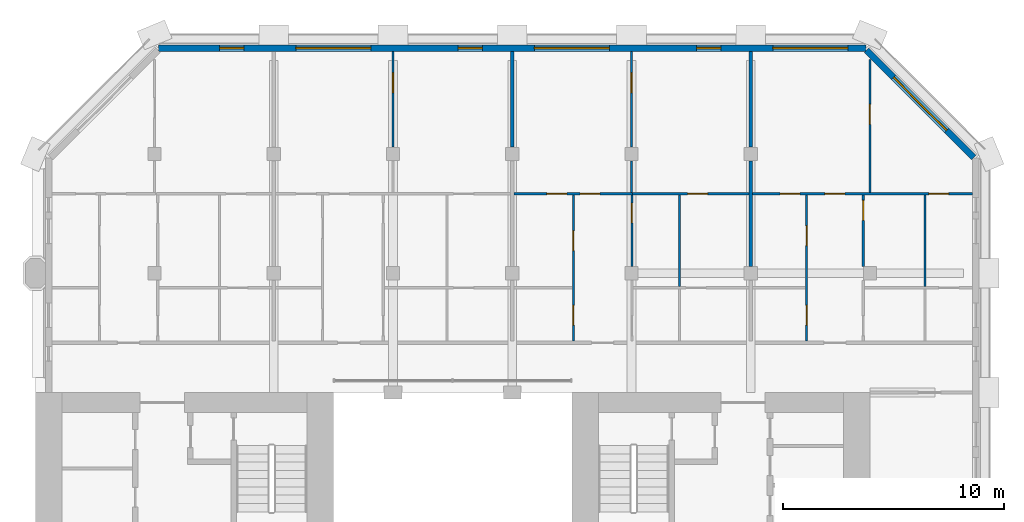
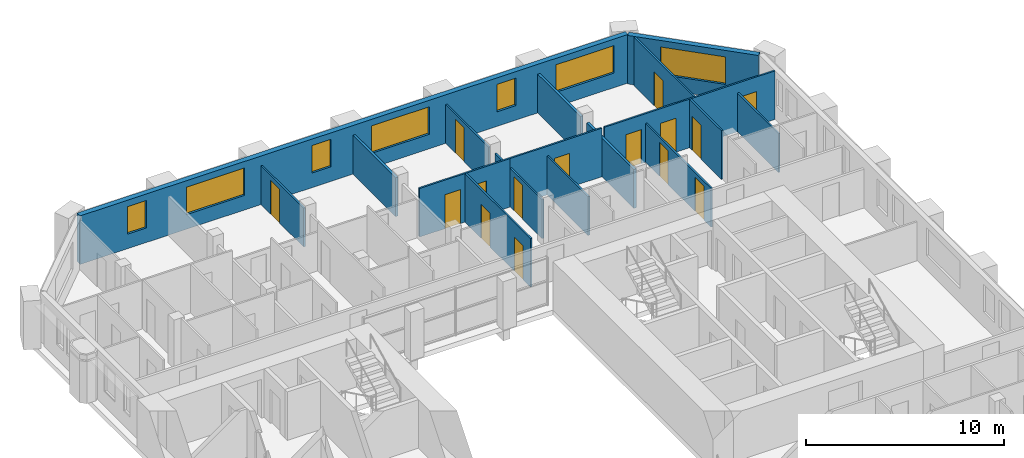
# One storey, part 9 of 13: 18 walls, 15 doors, 7 windows, 22 openings.
"""IFC4 building model written with IfcOpenShell, lengths in metres."""

from ifc_helpers import new_model, si_unit, direction, frame, frame_2d, origin, place, context, subcontext, project, spatial, rectangle, extrude, material, layer, layer_set, type_object, element, fill, save


model = new_model("IFC4")

# Units and contexts
model_context = context("Model", 3, precision=1e-05, world=origin(), true_north=direction((0.0, 1.0)))
body_context = subcontext(model_context, "Body", "Model", "MODEL_VIEW")
ifc_project = project(units=[si_unit("LENGTHUNIT", "METRE"), si_unit("AREAUNIT", "SQUARE_METRE"), si_unit("VOLUMEUNIT", "CUBIC_METRE"), si_unit("PLANEANGLEUNIT", "RADIAN"), si_unit("MASSUNIT", "GRAM", prefix="KILO")], contexts=[model_context])

# Site, building, storey
site_placement = place(None, origin())
site = spatial("IfcSite", under=ifc_project, at=site_placement, CompositionType="ELEMENT")
building_placement = place(site_placement, origin())
building = spatial("IfcBuilding", under=site, at=building_placement, Name="Tabaq Tower and Sports Hall", CompositionType="ELEMENT")
storey_placement = place(building_placement, frame((0.0, 0.0, 295.0)))
storey = spatial("IfcBuildingStorey", under=building, at=storey_placement, Name="L73", CompositionType="ELEMENT", Elevation=295.0)

# Wall, opening, door
ifc_material_1 = material(Name="Gypsum board on steel studs", Category="steel")
ifc_layer_1 = layer(ifc_material_1, 0.10009765625)
ifc_layer_set_1 = layer_set([ifc_layer_1], Name="Partition 100 Gypsum board")
wall_type_1 = type_object("IfcWallType", Name="Partition 100 Gypsum board", PredefinedType="PARTITIONING", material=ifc_layer_set_1)
wall_1_placement = place(storey_placement, frame((21.60009765625, 43.52001953125, 0.0), z_axis=(0.0, 0.0, 1.0), x_axis=(0.0, 1.0, 0.0)))
wall_1 = element("IfcWall", 1, at=wall_1_placement, inside=storey, type_object=wall_type_1, Name="Partition wall L73", PredefinedType="PARTITIONING", context=body_context, shape_type="SweptSolid", body=[
    extrude(rectangle(XDim=4.3291015625, YDim=0.10009765625, at=frame_2d((2.16455078125, 0.0))), origin(), (0.0, 0.0, 1.0), 2.39990234375),
])
opening_1_placement = place(wall_1_placement, frame((2.455078125, 0.0, 0.0)))
opening_1 = element("IfcOpeningElement", 2, at=opening_1_placement, cuts=wall_1, Name="Opening L73-035", PredefinedType="OPENING", context=body_context, shape_type="SweptSolid", body=[
    extrude(rectangle(XDim=0.89990234375, YDim=2.10009765625, at=frame_2d((0.449951171875, 1.050048828125))), frame((0.0, 0.050048828125, 0.0), z_axis=(0.0, -1.0, 0.0), x_axis=(1.0, 0.0, 0.0)), (0.0, 0.0, 1.0), 0.10009765625),
])
ifc_material_2 = material(Name="Timber leaf in steel frame", Category="steel")
door_type_1 = type_object("IfcDoorType", Name="Internal door 900 right hand", OperationType="SINGLE_SWING_RIGHT", PredefinedType="DOOR", material=ifc_material_2)
door_1_placement = place(opening_1_placement, origin())
door_1 = element("IfcDoor", 3, at=door_1_placement, inside=storey, type_object=door_type_1, Name="Internal door L73-035", OperationType="SINGLE_SWING_RIGHT", OverallHeight=2.10009765625, OverallWidth=0.89990234375, PredefinedType="DOOR", context=body_context, shape_type="SweptSolid", body=[
    extrude(rectangle(XDim=0.89990234375, YDim=2.10009765625, at=frame_2d((0.449951171875, 1.050048828125))), frame((0.0, 0.02490234375, 0.0), z_axis=(0.0, -1.0, 0.0), x_axis=(1.0, 0.0, 0.0)), (0.0, 0.0, 1.0), 0.050048828125),
])
fill(opening_1, door_1)

# Wall, openings, doors
wall_2_placement = place(storey_placement, frame((27.074951171875, 41.39990234375, 0.0), z_axis=(0.0, 0.0, 1.0), x_axis=(1.0, 0.0, 0.0)))
wall_2 = element("IfcWall", 4, at=wall_2_placement, inside=storey, type_object=wall_type_1, Name="Partition wall L73", PredefinedType="PARTITIONING", context=body_context, shape_type="SweptSolid", body=[
    extrude(rectangle(XDim=5.375, YDim=0.10009765625, at=frame_2d((2.6875, 0.0))), origin(), (0.0, 0.0, 1.0), 3.0),
])
opening_2_placement = place(wall_2_placement, frame((1.4951171875, 0.0, 0.0)))
opening_2 = element("IfcOpeningElement", 5, at=opening_2_placement, cuts=wall_2, Name="Opening L73-040", PredefinedType="OPENING", context=body_context, shape_type="SweptSolid", body=[
    extrude(rectangle(XDim=0.89990234375, YDim=2.10009765625, at=frame_2d((0.449951171875, 1.050048828125))), frame((0.0, 0.050048828125, 0.0), z_axis=(0.0, -1.0, 0.0), x_axis=(1.0, 0.0, 0.0)), (0.0, 0.0, 1.0), 0.10009765625),
])
opening_3_placement = place(wall_2_placement, frame((2.9951171875, 0.0, 0.0)))
opening_3 = element("IfcOpeningElement", 6, at=opening_3_placement, cuts=wall_2, Name="Opening L73-054", PredefinedType="OPENING", context=body_context, shape_type="SweptSolid", body=[
    extrude(rectangle(XDim=0.89990234375, YDim=2.10009765625, at=frame_2d((0.449951171875, 1.050048828125))), frame((0.0, 0.050048828125, 0.0), z_axis=(0.0, -1.0, 0.0), x_axis=(1.0, 0.0, 0.0)), (0.0, 0.0, 1.0), 0.10009765625),
])
ifc_material_3 = material(Name="Timber leaf in steel frame", Category="steel")
door_type_2 = type_object("IfcDoorType", Name="Internal door 900 left hand", OperationType="SINGLE_SWING_LEFT", PredefinedType="DOOR", material=ifc_material_3)
door_2_placement = place(opening_3_placement, origin())
door_2 = element("IfcDoor", 7, at=door_2_placement, inside=storey, type_object=door_type_2, Name="Internal door L73-054", OperationType="SINGLE_SWING_LEFT", OverallHeight=2.10009765625, OverallWidth=0.89990234375, PredefinedType="DOOR", context=body_context, shape_type="SweptSolid", body=[
    extrude(rectangle(XDim=0.89990234375, YDim=2.10009765625, at=frame_2d((0.449951171875, 1.050048828125))), frame((0.0, 0.02490234375, 0.0), z_axis=(0.0, -1.0, 0.0), x_axis=(1.0, 0.0, 0.0)), (0.0, 0.0, 1.0), 0.050048828125),
])
fill(opening_3, door_2)
door_3_placement = place(opening_2_placement, origin())
door_3 = element("IfcDoor", 8, at=door_3_placement, inside=storey, type_object=door_type_1, Name="Internal door L73-040", OperationType="SINGLE_SWING_RIGHT", OverallHeight=2.10009765625, OverallWidth=0.89990234375, PredefinedType="DOOR", context=body_context, shape_type="SweptSolid", body=[
    extrude(rectangle(XDim=0.89990234375, YDim=2.10009765625, at=frame_2d((0.449951171875, 1.050048828125))), frame((0.0, 0.02490234375, 0.0), z_axis=(0.0, -1.0, 0.0), x_axis=(1.0, 0.0, 0.0)), (0.0, 0.0, 1.0), 0.050048828125),
])
fill(opening_2, door_3)

# Wall
wall_3_placement = place(storey_placement, frame((32.39990234375, 41.449951171875, 0.0), z_axis=(0.0, 0.0, 1.0), x_axis=(0.0, 1.0, 0.0)))
element("IfcWall", 9, at=wall_3_placement, inside=storey, type_object=wall_type_1, Name="Partition wall L73", PredefinedType="PARTITIONING", context=body_context, shape_type="SweptSolid", body=[
    extrude(rectangle(XDim=1.429931640625, YDim=0.10009765625, at=frame_2d((0.71484375, 0.0))), origin(), (0.0, 0.0, 1.0), 2.39990234375),
])

# Wall, opening, door
wall_4_placement = place(storey_placement, frame((32.39990234375, 43.52001953125, 0.0), z_axis=(0.0, 0.0, 1.0), x_axis=(0.0, 1.0, 0.0)))
wall_4 = element("IfcWall", 10, at=wall_4_placement, inside=storey, type_object=wall_type_1, Name="Partition wall L73", PredefinedType="PARTITIONING", context=body_context, shape_type="SweptSolid", body=[
    extrude(rectangle(XDim=4.3291015625, YDim=0.10009765625, at=frame_2d((2.16455078125, 0.0))), origin(), (0.0, 0.0, 1.0), 2.39990234375),
])
opening_4_placement = place(wall_4_placement, frame((2.455078125, 0.0, 0.0)))
opening_4 = element("IfcOpeningElement", 11, at=opening_4_placement, cuts=wall_4, Name="Opening L73-039", PredefinedType="OPENING", context=body_context, shape_type="SweptSolid", body=[
    extrude(rectangle(XDim=0.89990234375, YDim=2.10009765625, at=frame_2d((0.449951171875, 1.050048828125))), frame((0.0, 0.050048828125, 0.0), z_axis=(0.0, -1.0, 0.0), x_axis=(1.0, 0.0, 0.0)), (0.0, 0.0, 1.0), 0.10009765625),
])
door_4_placement = place(opening_4_placement, origin())
door_4 = element("IfcDoor", 12, at=door_4_placement, inside=storey, type_object=door_type_2, Name="Internal door L73-039", OperationType="SINGLE_SWING_LEFT", OverallHeight=2.10009765625, OverallWidth=0.89990234375, PredefinedType="DOOR", context=body_context, shape_type="SweptSolid", body=[
    extrude(rectangle(XDim=0.89990234375, YDim=2.10009765625, at=frame_2d((0.449951171875, 1.050048828125))), frame((0.0, 0.02490234375, 0.0), z_axis=(0.0, -1.0, 0.0), x_axis=(1.0, 0.0, 0.0)), (0.0, 0.0, 1.0), 0.050048828125),
])
fill(opening_4, door_4)

wall_5_placement = place(storey_placement, frame((32.3701171875, 41.39990234375, 0.0), z_axis=(0.0, 0.0, 1.0), x_axis=(1.0, 0.0, 0.0)))
wall_5 = element("IfcWall", 13, at=wall_5_placement, inside=storey, type_object=wall_type_1, Name="Partition wall L73", PredefinedType="PARTITIONING", context=body_context, shape_type="SweptSolid", body=[
    extrude(rectangle(XDim=5.35498046875, YDim=0.10009765625, at=frame_2d((2.677490234375, 0.0))), origin(), (0.0, 0.0, 1.0), 3.0),
])
opening_5_placement = place(wall_5_placement, frame((2.577880859375, 0.0, 0.0)))
opening_5 = element("IfcOpeningElement", 14, at=opening_5_placement, cuts=wall_5, Name="Opening L73-041", PredefinedType="OPENING", context=body_context, shape_type="SweptSolid", body=[
    extrude(rectangle(XDim=0.89990234375, YDim=2.10009765625, at=frame_2d((0.449951171875, 1.050048828125))), frame((0.0, 0.050048828125, 0.0), z_axis=(0.0, -1.0, 0.0), x_axis=(1.0, 0.0, 0.0)), (0.0, 0.0, 1.0), 0.10009765625),
])
door_5_placement = place(opening_5_placement, origin())
door_5 = element("IfcDoor", 15, at=door_5_placement, inside=storey, type_object=door_type_2, Name="Internal door L73-041", OperationType="SINGLE_SWING_LEFT", OverallHeight=2.10009765625, OverallWidth=0.89990234375, PredefinedType="DOOR", context=body_context, shape_type="SweptSolid", body=[
    extrude(rectangle(XDim=0.89990234375, YDim=2.10009765625, at=frame_2d((0.449951171875, 1.050048828125))), frame((0.0, 0.02490234375, 0.0), z_axis=(0.0, -1.0, 0.0), x_axis=(1.0, 0.0, 0.0)), (0.0, 0.0, 1.0), 0.050048828125),
])
fill(opening_5, door_5)

# Wall, openings, doors
wall_6_placement = place(storey_placement, frame((29.77001953125, 34.72509765625, 0.0), z_axis=(0.0, 0.0, 1.0), x_axis=(0.0, 1.0, 0.0)))
wall_6 = element("IfcWall", 16, at=wall_6_placement, inside=storey, type_object=wall_type_1, Name="Partition wall L73", PredefinedType="PARTITIONING", context=body_context, shape_type="SweptSolid", body=[
    extrude(rectangle(XDim=6.625, YDim=0.10009765625, at=frame_2d((3.3125, 0.0))), origin(), (0.0, 0.0, 1.0), 3.0),
])
opening_6_placement = place(wall_6_placement, frame((0.72509765625, 0.0, 0.0)))
opening_6 = element("IfcOpeningElement", 17, at=opening_6_placement, cuts=wall_6, Name="Opening L73-009", PredefinedType="OPENING", context=body_context, shape_type="SweptSolid", body=[
    extrude(rectangle(XDim=0.89990234375, YDim=2.10009765625, at=frame_2d((0.449951171875, 1.050048828125))), frame((0.0, 0.050048828125, 0.0), z_axis=(0.0, -1.0, 0.0), x_axis=(1.0, 0.0, 0.0)), (0.0, 0.0, 1.0), 0.10009765625),
])
opening_7_placement = place(wall_6_placement, frame((4.10009765625, 0.0, 0.0)))
opening_7 = element("IfcOpeningElement", 18, at=opening_7_placement, cuts=wall_6, Name="Opening L73-042", PredefinedType="OPENING", context=body_context, shape_type="SweptSolid", body=[
    extrude(rectangle(XDim=0.89990234375, YDim=2.10009765625, at=frame_2d((0.449951171875, 1.050048828125))), frame((0.0, 0.050048828125, 0.0), z_axis=(0.0, -1.0, 0.0), x_axis=(1.0, 0.0, 0.0)), (0.0, 0.0, 1.0), 0.10009765625),
])
door_6_placement = place(opening_6_placement, origin())
door_6 = element("IfcDoor", 19, at=door_6_placement, inside=storey, type_object=door_type_2, Name="Internal door L73-009", OperationType="SINGLE_SWING_LEFT", OverallHeight=2.10009765625, OverallWidth=0.89990234375, PredefinedType="DOOR", context=body_context, shape_type="SweptSolid", body=[
    extrude(rectangle(XDim=0.89990234375, YDim=2.10009765625, at=frame_2d((0.449951171875, 1.050048828125))), frame((0.0, 0.02490234375, 0.0), z_axis=(0.0, -1.0, 0.0), x_axis=(1.0, 0.0, 0.0)), (0.0, 0.0, 1.0), 0.050048828125),
])
fill(opening_6, door_6)
door_7_placement = place(opening_7_placement, origin())
door_7 = element("IfcDoor", 20, at=door_7_placement, inside=storey, type_object=door_type_1, Name="Internal door L73-042", OperationType="SINGLE_SWING_RIGHT", OverallHeight=2.10009765625, OverallWidth=0.89990234375, PredefinedType="DOOR", context=body_context, shape_type="SweptSolid", body=[
    extrude(rectangle(XDim=0.89990234375, YDim=2.10009765625, at=frame_2d((0.449951171875, 1.050048828125))), frame((0.0, 0.02490234375, 0.0), z_axis=(0.0, -1.0, 0.0), x_axis=(1.0, 0.0, 0.0)), (0.0, 0.0, 1.0), 0.050048828125),
])
fill(opening_7, door_7)

# Wall, opening, door
wall_7_placement = place(storey_placement, frame((32.419921875, 38.1201171875, 0.0), z_axis=(0.0, 0.0, 1.0), x_axis=(0.0, 1.0, 0.0)))
wall_7 = element("IfcWall", 21, at=wall_7_placement, inside=storey, type_object=wall_type_1, Name="Partition wall L73", PredefinedType="PARTITIONING", context=body_context, shape_type="SweptSolid", body=[
    extrude(rectangle(XDim=3.22998046875, YDim=0.10009765625, at=frame_2d((1.614990234375, 0.0))), origin(), (0.0, 0.0, 1.0), 2.39990234375),
])
opening_8_placement = place(wall_7_placement, frame((1.965087890625, 0.0, 0.0)))
opening_8 = element("IfcOpeningElement", 22, at=opening_8_placement, cuts=wall_7, Name="Opening L73-010", PredefinedType="OPENING", context=body_context, shape_type="SweptSolid", body=[
    extrude(rectangle(XDim=0.89990234375, YDim=2.10009765625, at=frame_2d((0.449951171875, 1.050048828125))), frame((0.0, 0.050048828125, 0.0), z_axis=(0.0, -1.0, 0.0), x_axis=(1.0, 0.0, 0.0)), (0.0, 0.0, 1.0), 0.10009765625),
])
door_8_placement = place(opening_8_placement, origin())
door_8 = element("IfcDoor", 23, at=door_8_placement, inside=storey, type_object=door_type_1, Name="Internal door L73-010", OperationType="SINGLE_SWING_RIGHT", OverallHeight=2.10009765625, OverallWidth=0.89990234375, PredefinedType="DOOR", context=body_context, shape_type="SweptSolid", body=[
    extrude(rectangle(XDim=0.89990234375, YDim=2.10009765625, at=frame_2d((0.449951171875, 1.050048828125))), frame((0.0, 0.02490234375, 0.0), z_axis=(0.0, -1.0, 0.0), x_axis=(1.0, 0.0, 0.0)), (0.0, 0.0, 1.0), 0.050048828125),
])
fill(opening_8, door_8)

# Wall
wall_8_placement = place(storey_placement, frame((34.575927734375, 37.199951171875, 0.0), z_axis=(0.0, 0.0, 1.0), x_axis=(0.0, 1.0, 0.0)))
element("IfcWall", 24, at=wall_8_placement, inside=storey, type_object=wall_type_1, Name="Partition wall L73", PredefinedType="PARTITIONING", context=body_context, shape_type="SweptSolid", body=[
    extrude(rectangle(XDim=4.150146484375, YDim=0.10009765625, at=frame_2d((2.0751953125, 0.0))), origin(), (0.0, 0.0, 1.0), 2.39990234375),
])

# Wall, opening, door
wall_9_placement = place(storey_placement, frame((43.199951171875, 41.449951171875, 0.0), z_axis=(0.0, 0.0, 1.0), x_axis=(0.0, 1.0, 0.0)))
wall_9 = element("IfcWall", 25, at=wall_9_placement, inside=storey, type_object=wall_type_1, Name="Partition wall L73", PredefinedType="PARTITIONING", context=body_context, shape_type="SweptSolid", body=[
    extrude(rectangle(XDim=6.037841796875, YDim=0.10009765625, at=frame_2d((3.01904296875, 0.0))), origin(), (0.0, 0.0, 1.0), 3.0),
])
opening_9_placement = place(wall_9_placement, frame((3.10009765625, 0.0, 0.0)))
opening_9 = element("IfcOpeningElement", 26, at=opening_9_placement, cuts=wall_9, Name="Opening L73-043", PredefinedType="OPENING", context=body_context, shape_type="SweptSolid", body=[
    extrude(rectangle(XDim=0.89990234375, YDim=2.10009765625, at=frame_2d((0.449951171875, 1.050048828125))), frame((0.0, 0.050048828125, 0.0), z_axis=(0.0, -1.0, 0.0), x_axis=(1.0, 0.0, 0.0)), (0.0, 0.0, 1.0), 0.10009765625),
])
door_9_placement = place(opening_9_placement, origin())
door_9 = element("IfcDoor", 27, at=door_9_placement, inside=storey, type_object=door_type_2, Name="Internal door L73-043", OperationType="SINGLE_SWING_LEFT", OverallHeight=2.10009765625, OverallWidth=0.89990234375, PredefinedType="DOOR", context=body_context, shape_type="SweptSolid", body=[
    extrude(rectangle(XDim=0.89990234375, YDim=2.10009765625, at=frame_2d((0.449951171875, 1.050048828125))), frame((0.0, 0.02490234375, 0.0), z_axis=(0.0, -1.0, 0.0), x_axis=(1.0, 0.0, 0.0)), (0.0, 0.0, 1.0), 0.050048828125),
])
fill(opening_9, door_9)

# Wall, openings, doors
wall_10_placement = place(storey_placement, frame((37.875, 41.39990234375, 0.0), z_axis=(0.0, 0.0, 1.0), x_axis=(1.0, 0.0, 0.0)))
wall_10 = element("IfcWall", 28, at=wall_10_placement, inside=storey, type_object=wall_type_1, Name="Partition wall L73", PredefinedType="PARTITIONING", context=body_context, shape_type="SweptSolid", body=[
    extrude(rectangle(XDim=9.97412109375, YDim=0.10009765625, at=frame_2d((4.987060546875, 0.0))), origin(), (0.0, 0.0, 1.0), 3.0),
])
opening_10_placement = place(wall_10_placement, frame((1.256103515625, 0.0, 0.0)))
opening_10 = element("IfcOpeningElement", 29, at=opening_10_placement, cuts=wall_10, Name="Opening L73-044", PredefinedType="OPENING", context=body_context, shape_type="SweptSolid", body=[
    extrude(rectangle(XDim=0.89990234375, YDim=2.10009765625, at=frame_2d((0.449951171875, 1.050048828125))), frame((0.0, 0.050048828125, 0.0), z_axis=(0.0, -1.0, 0.0), x_axis=(1.0, 0.0, 0.0)), (0.0, 0.0, 1.0), 0.10009765625),
])
opening_11_placement = place(wall_10_placement, frame((7.9951171875, 0.0, 0.0)))
opening_11 = element("IfcOpeningElement", 30, at=opening_11_placement, cuts=wall_10, Name="Opening L73-045", PredefinedType="OPENING", context=body_context, shape_type="SweptSolid", body=[
    extrude(rectangle(XDim=0.89990234375, YDim=2.10009765625, at=frame_2d((0.449951171875, 1.050048828125))), frame((0.0, 0.050048828125, 0.0), z_axis=(0.0, -1.0, 0.0), x_axis=(1.0, 0.0, 0.0)), (0.0, 0.0, 1.0), 0.10009765625),
])
opening_12_placement = place(wall_10_placement, frame((3.2900390625, 0.0, 0.0)))
opening_12 = element("IfcOpeningElement", 31, at=opening_12_placement, cuts=wall_10, Name="Opening L73-055", PredefinedType="OPENING", context=body_context, shape_type="SweptSolid", body=[
    extrude(rectangle(XDim=0.89990234375, YDim=2.10009765625, at=frame_2d((0.449951171875, 1.050048828125))), frame((0.0, 0.050048828125, 0.0), z_axis=(0.0, -1.0, 0.0), x_axis=(1.0, 0.0, 0.0)), (0.0, 0.0, 1.0), 0.10009765625),
])
door_10_placement = place(opening_10_placement, origin())
door_10 = element("IfcDoor", 32, at=door_10_placement, inside=storey, type_object=door_type_2, Name="Internal door L73-044", OperationType="SINGLE_SWING_LEFT", OverallHeight=2.10009765625, OverallWidth=0.89990234375, PredefinedType="DOOR", context=body_context, shape_type="SweptSolid", body=[
    extrude(rectangle(XDim=0.89990234375, YDim=2.10009765625, at=frame_2d((0.449951171875, 1.050048828125))), frame((0.0, 0.02490234375, 0.0), z_axis=(0.0, -1.0, 0.0), x_axis=(1.0, 0.0, 0.0)), (0.0, 0.0, 1.0), 0.050048828125),
])
fill(opening_10, door_10)
door_11_placement = place(opening_11_placement, origin())
door_11 = element("IfcDoor", 33, at=door_11_placement, inside=storey, type_object=door_type_1, Name="Internal door L73-045", OperationType="SINGLE_SWING_RIGHT", OverallHeight=2.10009765625, OverallWidth=0.89990234375, PredefinedType="DOOR", context=body_context, shape_type="SweptSolid", body=[
    extrude(rectangle(XDim=0.89990234375, YDim=2.10009765625, at=frame_2d((0.449951171875, 1.050048828125))), frame((0.0, 0.02490234375, 0.0), z_axis=(0.0, -1.0, 0.0), x_axis=(1.0, 0.0, 0.0)), (0.0, 0.0, 1.0), 0.050048828125),
])
fill(opening_11, door_11)
door_12_placement = place(opening_12_placement, origin())
door_12 = element("IfcDoor", 34, at=door_12_placement, inside=storey, type_object=door_type_1, Name="Internal door L73-055", OperationType="SINGLE_SWING_RIGHT", OverallHeight=2.10009765625, OverallWidth=0.89990234375, PredefinedType="DOOR", context=body_context, shape_type="SweptSolid", body=[
    extrude(rectangle(XDim=0.89990234375, YDim=2.10009765625, at=frame_2d((0.449951171875, 1.050048828125))), frame((0.0, 0.02490234375, 0.0), z_axis=(0.0, -1.0, 0.0), x_axis=(1.0, 0.0, 0.0)), (0.0, 0.0, 1.0), 0.050048828125),
])
fill(opening_12, door_12)

wall_11_placement = place(storey_placement, frame((40.3310546875, 34.72509765625, 0.0), z_axis=(0.0, 0.0, 1.0), x_axis=(0.0, 1.0, 0.0)))
wall_11 = element("IfcWall", 35, at=wall_11_placement, inside=storey, type_object=wall_type_1, Name="Partition wall L73", PredefinedType="PARTITIONING", context=body_context, shape_type="SweptSolid", body=[
    extrude(rectangle(XDim=6.625, YDim=0.10009765625, at=frame_2d((3.3125, 0.0))), origin(), (0.0, 0.0, 1.0), 2.39990234375),
])
opening_13_placement = place(wall_11_placement, frame((0.72509765625, 0.0, 0.0)))
opening_13 = element("IfcOpeningElement", 36, at=opening_13_placement, cuts=wall_11, Name="Opening L73-013", PredefinedType="OPENING", context=body_context, shape_type="SweptSolid", body=[
    extrude(rectangle(XDim=0.89990234375, YDim=2.10009765625, at=frame_2d((0.449951171875, 1.050048828125))), frame((0.0, 0.050048828125, 0.0), z_axis=(0.0, -1.0, 0.0), x_axis=(1.0, 0.0, 0.0)), (0.0, 0.0, 1.0), 0.10009765625),
])
opening_14_placement = place(wall_11_placement, frame((4.3291015625, 0.0, 0.0)))
opening_14 = element("IfcOpeningElement", 37, at=opening_14_placement, cuts=wall_11, Name="Opening L73-046", PredefinedType="OPENING", context=body_context, shape_type="SweptSolid", body=[
    extrude(rectangle(XDim=0.89990234375, YDim=2.10009765625, at=frame_2d((0.449951171875, 1.050048828125))), frame((0.0, 0.050048828125, 0.0), z_axis=(0.0, -1.0, 0.0), x_axis=(1.0, 0.0, 0.0)), (0.0, 0.0, 1.0), 0.10009765625),
])
door_13_placement = place(opening_14_placement, origin())
door_13 = element("IfcDoor", 38, at=door_13_placement, inside=storey, type_object=door_type_2, Name="Internal door L73-046", OperationType="SINGLE_SWING_LEFT", OverallHeight=2.10009765625, OverallWidth=0.89990234375, PredefinedType="DOOR", context=body_context, shape_type="SweptSolid", body=[
    extrude(rectangle(XDim=0.89990234375, YDim=2.10009765625, at=frame_2d((0.449951171875, 1.050048828125))), frame((0.0, 0.02490234375, 0.0), z_axis=(0.0, -1.0, 0.0), x_axis=(1.0, 0.0, 0.0)), (0.0, 0.0, 1.0), 0.050048828125),
])
fill(opening_14, door_13)
door_14_placement = place(opening_13_placement, origin())
door_14 = element("IfcDoor", 39, at=door_14_placement, inside=storey, type_object=door_type_1, Name="Internal door L73-013", OperationType="SINGLE_SWING_RIGHT", OverallHeight=2.10009765625, OverallWidth=0.89990234375, PredefinedType="DOOR", context=body_context, shape_type="SweptSolid", body=[
    extrude(rectangle(XDim=0.89990234375, YDim=2.10009765625, at=frame_2d((0.449951171875, 1.050048828125))), frame((0.0, 0.02490234375, 0.0), z_axis=(0.0, -1.0, 0.0), x_axis=(1.0, 0.0, 0.0)), (0.0, 0.0, 1.0), 0.050048828125),
])
fill(opening_13, door_14)

# Wall, opening, door
wall_12_placement = place(storey_placement, frame((42.89990234375, 38.1201171875, 0.0), z_axis=(0.0, 0.0, 1.0), x_axis=(0.0, 1.0, 0.0)))
wall_12 = element("IfcWall", 40, at=wall_12_placement, inside=storey, type_object=wall_type_1, Name="Partition wall L73", PredefinedType="PARTITIONING", context=body_context, shape_type="SweptSolid", body=[
    extrude(rectangle(XDim=3.22998046875, YDim=0.10009765625, at=frame_2d((1.614990234375, 0.0))), origin(), (0.0, 0.0, 1.0), 3.0),
])
opening_15_placement = place(wall_12_placement, frame((2.080078125, 0.0, 0.0)))
opening_15 = element("IfcOpeningElement", 41, at=opening_15_placement, cuts=wall_12, Name="Opening L73-014", PredefinedType="OPENING", context=body_context, shape_type="SweptSolid", body=[
    extrude(rectangle(XDim=0.89990234375, YDim=2.10009765625, at=frame_2d((0.449951171875, 1.050048828125))), frame((0.0, 0.050048828125, 0.0), z_axis=(0.0, -1.0, 0.0), x_axis=(1.0, 0.0, 0.0)), (0.0, 0.0, 1.0), 0.10009765625),
])
door_15_placement = place(opening_15_placement, origin())
door_15 = element("IfcDoor", 42, at=door_15_placement, inside=storey, type_object=door_type_2, Name="Internal door L73-014", OperationType="SINGLE_SWING_LEFT", OverallHeight=2.10009765625, OverallWidth=0.89990234375, PredefinedType="DOOR", context=body_context, shape_type="SweptSolid", body=[
    extrude(rectangle(XDim=0.89990234375, YDim=2.10009765625, at=frame_2d((0.449951171875, 1.050048828125))), frame((0.0, 0.02490234375, 0.0), z_axis=(0.0, -1.0, 0.0), x_axis=(1.0, 0.0, 0.0)), (0.0, 0.0, 1.0), 0.050048828125),
])
fill(opening_15, door_15)

# Walls
wall_13_placement = place(storey_placement, frame((45.699951171875, 37.199951171875, 0.0), z_axis=(0.0, 0.0, 1.0), x_axis=(0.0, 1.0, 0.0)))
element("IfcWall", 43, at=wall_13_placement, inside=storey, type_object=wall_type_1, Name="Partition wall L73", PredefinedType="PARTITIONING", context=body_context, shape_type="SweptSolid", body=[
    extrude(rectangle(XDim=4.150146484375, YDim=0.10009765625, at=frame_2d((2.0751953125, 0.0))), origin(), (0.0, 0.0, 1.0), 2.39990234375),
])
ifc_material_4 = material(Name="Blockwork", Category="masonry")
ifc_layer_2 = layer(ifc_material_4, 0.14990234375)
ifc_layer_set_2 = layer_set([ifc_layer_2], Name="Separating wall 150 Blockwork")
wall_type_2 = type_object("IfcWallType", Name="Separating wall 150 Blockwork", PredefinedType="PARTITIONING", material=ifc_layer_set_2)
for number, where, z_axis, x_axis, name in (
    (44, (27.0, 43.52001953125, 0.0), (0.0, 0.0, 1.0), (0.0, 1.0, 0.0), "Separating wall L73"),
    (45, (37.800048828125, 43.52001953125, 0.0), (0.0, 0.0, 1.0), (0.0, 1.0, 0.0), "Separating wall L73"),
):
    element("IfcWall", number, at=place(storey_placement, frame(where, z_axis=z_axis, x_axis=x_axis)), inside=storey, type_object=wall_type_2, Name=name, PredefinedType="PARTITIONING", context=body_context, shape_type="SweptSolid", body=[
        extrude(rectangle(XDim=4.3291015625, YDim=0.14990234375, at=frame_2d((2.16455078125, 0.0))), origin(), (0.0, 0.0, 1.0), 2.39990234375),
    ])
wall_14_placement = place(storey_placement, frame((37.800048828125, 38.1201171875, 0.0), z_axis=(0.0, 0.0, 1.0), x_axis=(0.0, 1.0, 0.0)))
element("IfcWall", 46, at=wall_14_placement, inside=storey, type_object=wall_type_2, Name="Separating wall L73", PredefinedType="PARTITIONING", context=body_context, shape_type="SweptSolid", body=[
    extrude(rectangle(XDim=4.759765625, YDim=0.14990234375, at=frame_2d((2.3798828125, 0.0))), origin(), (0.0, 0.0, 1.0), 2.39990234375),
])

# Wall, opening, window
ifc_material_5 = material(Name="White precast concrete C60/75", Category="concrete")
ifc_layer_3 = layer(ifc_material_5, 0.300048828125)
ifc_layer_set_3 = layer_set([ifc_layer_3], Name="White precast concrete C60/75 external wall 300")
wall_type_3 = type_object("IfcWallType", Name="White precast concrete C60/75 external wall 300", PredefinedType="SOLIDWALL", material=ifc_layer_set_3)
wall_15_placement = place(storey_placement, frame((47.901123046875, 43.050537109375, 0.0), z_axis=(0.0, 0.0, 1.0), x_axis=(-0.707106781187, 0.707106781187, 0.0)))
wall_15 = element("IfcWall", 47, at=wall_15_placement, inside=storey, type_object=wall_type_3, Name="External Wall L73 NE", PredefinedType="SOLIDWALL", context=body_context, shape_type="SweptSolid", body=[
    extrude(rectangle(XDim=6.85986328125, YDim=0.300048828125, at=frame_2d((3.429931640625, 0.0))), origin(), (0.0, 0.0, 1.0), 3.0),
])
opening_16_placement = place(wall_15_placement, frame((1.729736328125, 0.0, 0.89990234375)))
opening_16 = element("IfcOpeningElement", 48, at=opening_16_placement, cuts=wall_15, Name="Opening W1A", PredefinedType="OPENING", context=body_context, shape_type="SweptSolid", body=[
    extrude(rectangle(XDim=3.39990234375, YDim=1.699951171875, at=frame_2d((1.699951171875, 0.85009765625))), frame((0.0, 0.16015625, 0.0), z_axis=(0.0, -1.0, 0.0), x_axis=(1.0, 0.0, 0.0)), (0.0, 0.0, 1.0), 0.320068359375),
])
ifc_material_6 = material(Name="Aluminium framed clear glazing", Category="aluminium")
window_type_1 = type_object("IfcWindowType", Name="Window W1A", PartitioningType="SINGLE_PANEL", PredefinedType="WINDOW", material=ifc_material_6)
window_1_placement = place(opening_16_placement, origin())
window_1 = element("IfcWindow", 49, at=window_1_placement, inside=storey, type_object=window_type_1, Name="Window W1A L73", OverallHeight=1.699951171875, OverallWidth=3.39990234375, PartitioningType="SINGLE_PANEL", PredefinedType="WINDOW", context=body_context, shape_type="SweptSolid", body=[
    extrude(rectangle(XDim=3.39990234375, YDim=1.699951171875, at=frame_2d((1.699951171875, 0.85009765625))), frame((0.0, 0.030029296875, 0.0), z_axis=(0.0, -1.0, 0.0), x_axis=(1.0, 0.0, 0.0)), (0.0, 0.0, 1.0), 0.06005859375),
])
fill(opening_16, window_1)

# Wall, openings, windows
wall_16_placement = place(storey_placement, frame((43.013671875, 48.0, 0.0), z_axis=(0.0, 0.0, 1.0), x_axis=(-1.0, 0.0, 0.0)))
wall_16 = element("IfcWall", 50, at=wall_16_placement, inside=storey, type_object=wall_type_3, Name="External Wall L73 N", PredefinedType="SOLIDWALL", context=body_context, shape_type="SweptSolid", body=[
    extrude(rectangle(XDim=32.02734375, YDim=0.300048828125, at=frame_2d((16.013671875, 0.0))), origin(), (0.0, 0.0, 1.0), 3.0),
])
opening_17_placement = place(wall_16_placement, frame((0.813720703125, 0.0, 0.89990234375)))
opening_17 = element("IfcOpeningElement", 51, at=opening_17_placement, cuts=wall_16, Name="Opening W1A", PredefinedType="OPENING", context=body_context, shape_type="SweptSolid", body=[
    extrude(rectangle(XDim=3.39990234375, YDim=1.699951171875, at=frame_2d((1.699951171875, 0.85009765625))), frame((0.0, 0.16015625, 0.0), z_axis=(0.0, -1.0, 0.0), x_axis=(1.0, 0.0, 0.0)), (0.0, 0.0, 1.0), 0.320068359375),
])
opening_18_placement = place(wall_16_placement, frame((6.563720703125, 0.0, 0.89990234375)))
opening_18 = element("IfcOpeningElement", 52, at=opening_18_placement, cuts=wall_16, Name="Opening W1B", PredefinedType="OPENING", context=body_context, shape_type="SweptSolid", body=[
    extrude(rectangle(XDim=1.10009765625, YDim=1.699951171875, at=frame_2d((0.550048828125, 0.85009765625))), frame((0.0, 0.16015625, 0.0), z_axis=(0.0, -1.0, 0.0), x_axis=(1.0, 0.0, 0.0)), (0.0, 0.0, 1.0), 0.320068359375),
])
opening_19_placement = place(wall_16_placement, frame((11.613525390625, 0.0, 0.89990234375)))
opening_19 = element("IfcOpeningElement", 53, at=opening_19_placement, cuts=wall_16, Name="Opening W1A", PredefinedType="OPENING", context=body_context, shape_type="SweptSolid", body=[
    extrude(rectangle(XDim=3.39990234375, YDim=1.699951171875, at=frame_2d((1.699951171875, 0.85009765625))), frame((0.0, 0.16015625, 0.0), z_axis=(0.0, -1.0, 0.0), x_axis=(1.0, 0.0, 0.0)), (0.0, 0.0, 1.0), 0.320068359375),
])
opening_20_placement = place(wall_16_placement, frame((17.363525390625, 0.0, 0.89990234375)))
opening_20 = element("IfcOpeningElement", 54, at=opening_20_placement, cuts=wall_16, Name="Opening W1B", PredefinedType="OPENING", context=body_context, shape_type="SweptSolid", body=[
    extrude(rectangle(XDim=1.10009765625, YDim=1.699951171875, at=frame_2d((0.550048828125, 0.85009765625))), frame((0.0, 0.16015625, 0.0), z_axis=(0.0, -1.0, 0.0), x_axis=(1.0, 0.0, 0.0)), (0.0, 0.0, 1.0), 0.320068359375),
])
opening_21_placement = place(wall_16_placement, frame((22.41357421875, 0.0, 0.89990234375)))
opening_21 = element("IfcOpeningElement", 55, at=opening_21_placement, cuts=wall_16, Name="Opening W1A", PredefinedType="OPENING", context=body_context, shape_type="SweptSolid", body=[
    extrude(rectangle(XDim=3.39990234375, YDim=1.699951171875, at=frame_2d((1.699951171875, 0.85009765625))), frame((0.0, 0.16015625, 0.0), z_axis=(0.0, -1.0, 0.0), x_axis=(1.0, 0.0, 0.0)), (0.0, 0.0, 1.0), 0.320068359375),
])
opening_22_placement = place(wall_16_placement, frame((28.16357421875, 0.0, 0.89990234375)))
opening_22 = element("IfcOpeningElement", 56, at=opening_22_placement, cuts=wall_16, Name="Opening W1B", PredefinedType="OPENING", context=body_context, shape_type="SweptSolid", body=[
    extrude(rectangle(XDim=1.10009765625, YDim=1.699951171875, at=frame_2d((0.550048828125, 0.85009765625))), frame((0.0, 0.16015625, 0.0), z_axis=(0.0, -1.0, 0.0), x_axis=(1.0, 0.0, 0.0)), (0.0, 0.0, 1.0), 0.320068359375),
])
window_2_placement = place(opening_17_placement, origin())
window_2 = element("IfcWindow", 57, at=window_2_placement, inside=storey, type_object=window_type_1, Name="Window W1A L73", OverallHeight=1.699951171875, OverallWidth=3.39990234375, PartitioningType="SINGLE_PANEL", PredefinedType="WINDOW", context=body_context, shape_type="SweptSolid", body=[
    extrude(rectangle(XDim=3.39990234375, YDim=1.699951171875, at=frame_2d((1.699951171875, 0.85009765625))), frame((0.0, 0.030029296875, 0.0), z_axis=(0.0, -1.0, 0.0), x_axis=(1.0, 0.0, 0.0)), (0.0, 0.0, 1.0), 0.06005859375),
])
fill(opening_17, window_2)
window_3_placement = place(opening_19_placement, origin())
window_3 = element("IfcWindow", 58, at=window_3_placement, inside=storey, type_object=window_type_1, Name="Window W1A L73", OverallHeight=1.699951171875, OverallWidth=3.39990234375, PartitioningType="SINGLE_PANEL", PredefinedType="WINDOW", context=body_context, shape_type="SweptSolid", body=[
    extrude(rectangle(XDim=3.39990234375, YDim=1.699951171875, at=frame_2d((1.699951171875, 0.85009765625))), frame((0.0, 0.030029296875, 0.0), z_axis=(0.0, -1.0, 0.0), x_axis=(1.0, 0.0, 0.0)), (0.0, 0.0, 1.0), 0.06005859375),
])
fill(opening_19, window_3)
window_4_placement = place(opening_21_placement, origin())
window_4 = element("IfcWindow", 59, at=window_4_placement, inside=storey, type_object=window_type_1, Name="Window W1A L73", OverallHeight=1.699951171875, OverallWidth=3.39990234375, PartitioningType="SINGLE_PANEL", PredefinedType="WINDOW", context=body_context, shape_type="SweptSolid", body=[
    extrude(rectangle(XDim=3.39990234375, YDim=1.699951171875, at=frame_2d((1.699951171875, 0.85009765625))), frame((0.0, 0.030029296875, 0.0), z_axis=(0.0, -1.0, 0.0), x_axis=(1.0, 0.0, 0.0)), (0.0, 0.0, 1.0), 0.06005859375),
])
fill(opening_21, window_4)
ifc_material_7 = material(Name="Aluminium framed clear glazing", Category="aluminium")
window_type_2 = type_object("IfcWindowType", Name="Window W1B", PartitioningType="SINGLE_PANEL", PredefinedType="WINDOW", material=ifc_material_7)
window_5_placement = place(opening_18_placement, origin())
window_5 = element("IfcWindow", 60, at=window_5_placement, inside=storey, type_object=window_type_2, Name="Window W1B L73", OverallHeight=1.699951171875, OverallWidth=1.10009765625, PartitioningType="SINGLE_PANEL", PredefinedType="WINDOW", context=body_context, shape_type="SweptSolid", body=[
    extrude(rectangle(XDim=1.10009765625, YDim=1.699951171875, at=frame_2d((0.550048828125, 0.85009765625))), frame((0.0, 0.030029296875, 0.0), z_axis=(0.0, -1.0, 0.0), x_axis=(1.0, 0.0, 0.0)), (0.0, 0.0, 1.0), 0.06005859375),
])
fill(opening_18, window_5)
window_6_placement = place(opening_20_placement, origin())
window_6 = element("IfcWindow", 61, at=window_6_placement, inside=storey, type_object=window_type_2, Name="Window W1B L73", OverallHeight=1.699951171875, OverallWidth=1.10009765625, PartitioningType="SINGLE_PANEL", PredefinedType="WINDOW", context=body_context, shape_type="SweptSolid", body=[
    extrude(rectangle(XDim=1.10009765625, YDim=1.699951171875, at=frame_2d((0.550048828125, 0.85009765625))), frame((0.0, 0.030029296875, 0.0), z_axis=(0.0, -1.0, 0.0), x_axis=(1.0, 0.0, 0.0)), (0.0, 0.0, 1.0), 0.06005859375),
])
fill(opening_20, window_6)
window_7_placement = place(opening_22_placement, origin())
window_7 = element("IfcWindow", 62, at=window_7_placement, inside=storey, type_object=window_type_2, Name="Window W1B L73", OverallHeight=1.699951171875, OverallWidth=1.10009765625, PartitioningType="SINGLE_PANEL", PredefinedType="WINDOW", context=body_context, shape_type="SweptSolid", body=[
    extrude(rectangle(XDim=1.10009765625, YDim=1.699951171875, at=frame_2d((0.550048828125, 0.85009765625))), frame((0.0, 0.030029296875, 0.0), z_axis=(0.0, -1.0, 0.0), x_axis=(1.0, 0.0, 0.0)), (0.0, 0.0, 1.0), 0.06005859375),
])
fill(opening_22, window_7)

save(model, "model.ifc")
